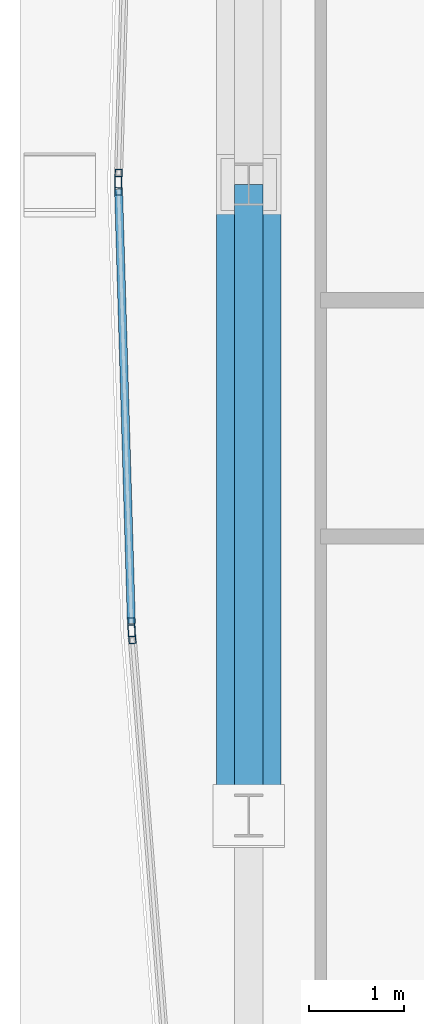
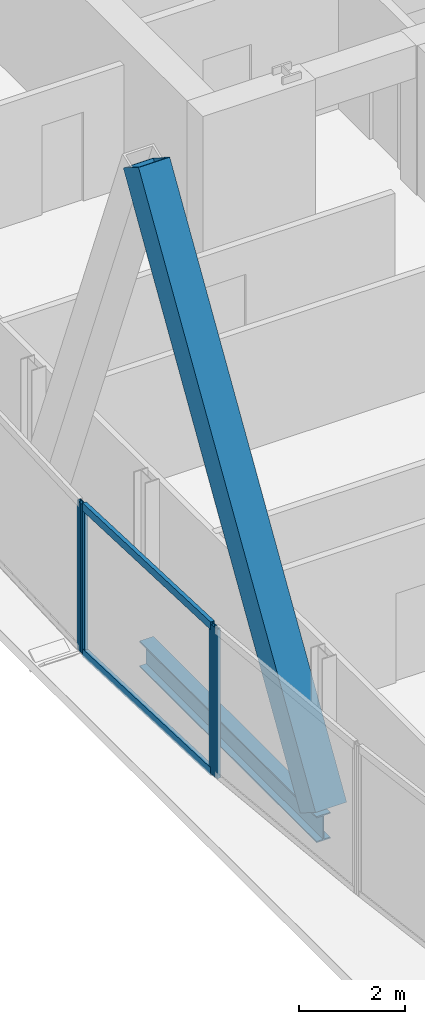
# One storey, part 10 of 30: 7 members, 1 beam, 3 elements without a shape of their own.
"""IFC4 building model written with IfcOpenShell, lengths in metres."""

from ifc_helpers import new_model, si_unit, direction, frame, origin, origin_2d, place, context, subcontext, project, spatial, hollow_rectangle, i_section, extrude, material, material_profile, profile_set, type_object, element, aggregate, save


model = new_model("IFC4")

# Units and contexts
model_context = context("Model", 3, precision=1e-05, world=origin(), true_north=direction((0.0, 1.0)))
body_context = subcontext(model_context, "Body", "Model", "MODEL_VIEW")
ifc_project = project(units=[si_unit("LENGTHUNIT", "METRE"), si_unit("AREAUNIT", "SQUARE_METRE"), si_unit("VOLUMEUNIT", "CUBIC_METRE"), si_unit("PLANEANGLEUNIT", "RADIAN"), si_unit("MASSUNIT", "GRAM", prefix="KILO")], contexts=[model_context])

# Site, building, storey
site_placement = place(None, origin())
site = spatial("IfcSite", under=ifc_project, at=site_placement, CompositionType="ELEMENT")
building_placement = place(site_placement, origin())
building = spatial("IfcBuilding", under=site, at=building_placement, Name="Khoronbel Lancet Exchange", CompositionType="ELEMENT")
storey_placement = place(building_placement, frame((0.0, 0.0, 239.0)))
storey = spatial("IfcBuildingStorey", under=building, at=storey_placement, Name="L61", CompositionType="ELEMENT", Elevation=239.0)

# Beam
ifc_material_1 = material(Name="Steel S355", Category="steel")
ifc_material_profile_1 = material_profile(ifc_material_1, i_section(OverallWidth=0.300048828125, OverallDepth=0.60009765625, WebThickness=0.015380859375, FlangeThickness=0.030029296875, at=origin_2d()), Name="HEB 600")
ifc_profile_set_1 = profile_set([ifc_material_profile_1], Name="Steel S355")
beam_type = type_object("IfcBeamType", Name="BM-BSP2", PredefinedType="SPANDREL", material=ifc_profile_set_1)
beam_placement = place(storey_placement, frame((9.27001953125, 31.425048828125, -0.4599609375), z_axis=(0.0, -1.0, 0.0), x_axis=(1.0, 0.0, 0.0)))
element("IfcBeam", 1, at=beam_placement, inside=storey, type_object=beam_type, Name="Level L61 perimeter spandrel beam SP17", PredefinedType="SPANDREL", context=body_context, shape_type="SweptSolid", body=[
    extrude(i_section(OverallWidth=0.300048828125, OverallDepth=0.60009765625, WebThickness=0.015380859375, FlangeThickness=0.030029296875, at=origin_2d()), origin(), (0.0, 0.0, 1.0), 6.675048828125),
])

# Curtain wall, member
ifc_material_2 = material(Name="Low-E Solar Control Insulating Glass", Category="glass")
curtain_wall_type = type_object("IfcCurtainWallType", Name="CW-4", PredefinedType="NOTDEFINED", material=ifc_material_2)
curtain_wall_1_placement = place(storey_placement, origin())
curtain_wall_1 = element("IfcCurtainWall", 2, at=curtain_wall_1_placement, inside=storey, type_object=curtain_wall_type, Name="Unitised curtain wall CW-L61-E05", PredefinedType="NOTDEFINED")
ifc_material_3 = material(Name="Bronze-Anodised Aluminium 6063-T6", Category="aluminium")
ifc_material_profile_2 = material_profile(ifc_material_3, hollow_rectangle(XDim=0.074951171875, YDim=0.199951171875, WallThickness=0.0048828125, at=origin_2d()), Name="ALU MULLION 75x200")
ifc_profile_set_2 = profile_set([ifc_material_profile_2], Name="Bronze-Anodised Aluminium 6063-T6")
member_type_1 = type_object("IfcMemberType", Name="MEM-CWM2", PredefinedType="MULLION", material=ifc_profile_set_2)
member_1_placement = place(storey_placement, frame((8.03369140625, 26.667724609375, 0.0), z_axis=(0.0, 0.0, 1.0), x_axis=(-0.996743296731, -0.080639943095, 0.0)))
member_1 = element("IfcMember", 3, at=member_1_placement, type_object=member_type_1, Name="CW4 mullion 2", PredefinedType="MULLION", context=body_context, shape_type="SweptSolid", body=[
    extrude(hollow_rectangle(XDim=0.074951171875, YDim=0.199951171875, WallThickness=0.0048828125, at=origin_2d()), origin(), (0.0, 0.0, 1.0), 3.43994140625),
])
aggregate(curtain_wall_1, [member_1])

# Curtain wall, members
curtain_wall_2_placement = place(storey_placement, origin())
curtain_wall_2 = element("IfcCurtainWall", 4, at=curtain_wall_2_placement, inside=storey, type_object=curtain_wall_type, Name="Unitised curtain wall CW-L61-E06", PredefinedType="NOTDEFINED")
member_2_placement = place(storey_placement, frame((8.029541015625, 26.742431640625, 0.0), z_axis=(0.0, 0.0, 1.0), x_axis=(-0.999561285143, -0.029618191076, 0.0)))
member_2 = element("IfcMember", 5, at=member_2_placement, type_object=member_type_1, Name="CW4 mullion 1", PredefinedType="MULLION", context=body_context, shape_type="SweptSolid", body=[
    extrude(hollow_rectangle(XDim=0.074951171875, YDim=0.199951171875, WallThickness=0.0048828125, at=origin_2d()), origin(), (0.0, 0.0, 1.0), 3.43994140625),
])
member_3_placement = place(storey_placement, frame((7.89111328125, 31.41259765625, 0.0), z_axis=(0.0, 0.0, 1.0), x_axis=(-0.999561285143, -0.029618191076, 0.0)))
member_3 = element("IfcMember", 6, at=member_3_placement, type_object=member_type_1, Name="CW4 mullion 2", PredefinedType="MULLION", context=body_context, shape_type="SweptSolid", body=[
    extrude(hollow_rectangle(XDim=0.074951171875, YDim=0.199951171875, WallThickness=0.0048828125, at=origin_2d()), origin(), (0.0, 0.0, 1.0), 3.43994140625),
])

# Curtain wall, member
curtain_wall_3_placement = place(storey_placement, origin())
curtain_wall_3 = element("IfcCurtainWall", 7, at=curtain_wall_3_placement, inside=storey, type_object=curtain_wall_type, Name="Unitised curtain wall CW-L61-E07", PredefinedType="NOTDEFINED")
member_4_placement = place(storey_placement, frame((7.89111328125, 31.487548828125, 0.0), z_axis=(0.0, 0.0, 1.0), x_axis=(-0.999561285143, 0.029618191076, 0.0)))
member_4 = element("IfcMember", 8, at=member_4_placement, type_object=member_type_1, Name="CW4 mullion 1", PredefinedType="MULLION", context=body_context, shape_type="SweptSolid", body=[
    extrude(hollow_rectangle(XDim=0.074951171875, YDim=0.199951171875, WallThickness=0.0048828125, at=origin_2d()), origin(), (0.0, 0.0, 1.0), 3.43994140625),
])
aggregate(curtain_wall_3, [member_4])

# Member
ifc_material_profile_3 = material_profile(ifc_material_3, hollow_rectangle(XDim=0.0849609375, YDim=0.179931640625, WallThickness=0.0048828125, at=origin_2d()), Name="ALU TRANSOM 85x180")
ifc_profile_set_3 = profile_set([ifc_material_profile_3], Name="Bronze-Anodised Aluminium 6063-T6")
member_type_2 = type_object("IfcMemberType", Name="MEM-CWT1", PredefinedType="USERDEFINED", material=ifc_profile_set_3)
member_5_placement = place(storey_placement, frame((8.0283203125, 26.780029296875, 0.04248046875), z_axis=(-0.029581650207, 0.999562367224, 0.0), x_axis=(-0.999562367224, -0.029581650207, 0.0)))
member_5 = element("IfcMember", 9, at=member_5_placement, type_object=member_type_2, Name="CW4 transom 1.1", ObjectType="TRANSOM", PredefinedType="USERDEFINED", context=body_context, shape_type="SweptSolid", body=[
    extrude(hollow_rectangle(XDim=0.0849609375, YDim=0.179931640625, WallThickness=0.0048828125, at=origin_2d()), origin(), (0.0, 0.0, 1.0), 4.596923828125),
])

member_6_placement = place(storey_placement, frame((8.0283203125, 26.780029296875, 3.3974609375), z_axis=(-0.029581650207, 0.999562367224, 0.0), x_axis=(-0.999562367224, -0.029581650207, 0.0)))
member_6 = element("IfcMember", 10, at=member_6_placement, type_object=member_type_2, Name="CW4 transom 1.2", ObjectType="TRANSOM", PredefinedType="USERDEFINED", context=body_context, shape_type="SweptSolid", body=[
    extrude(hollow_rectangle(XDim=0.0849609375, YDim=0.179931640625, WallThickness=0.0048828125, at=origin_2d()), origin(), (0.0, 0.0, 1.0), 4.596923828125),
])

aggregate(curtain_wall_2, [member_2, member_3, member_5, member_6])

ifc_material_4 = material(Name="Steel S460", Category="steel")
ifc_material_profile_4 = material_profile(ifc_material_4, hollow_rectangle(XDim=0.679931640625, YDim=0.679931640625, WallThickness=0.044921875, at=origin_2d()), Name="BOX 680x680x45")
ifc_profile_set_4 = profile_set([ifc_material_profile_4], Name="Steel S460")
member_type_3 = type_object("IfcMemberType", Name="MEM-MB3", PredefinedType="BRACE", material=ifc_profile_set_4)
member_7_placement = place(storey_placement, frame((9.27001953125, 24.75, 0.0), z_axis=(0.0, 0.525745449971, 0.850641946906), x_axis=(-1.0, 0.0, 0.0)))
element("IfcMember", 11, at=member_7_placement, inside=storey, type_object=member_type_3, Name="Perimeter lancet brace tier 21 W-P-L", PredefinedType="BRACE", context=body_context, shape_type="SweptSolid", body=[
    extrude(hollow_rectangle(XDim=0.679931640625, YDim=0.679931640625, WallThickness=0.044921875, at=origin_2d()), origin(), (0.0, 0.0, 1.0), 12.6962890625),
])

save(model, "model.ifc")
